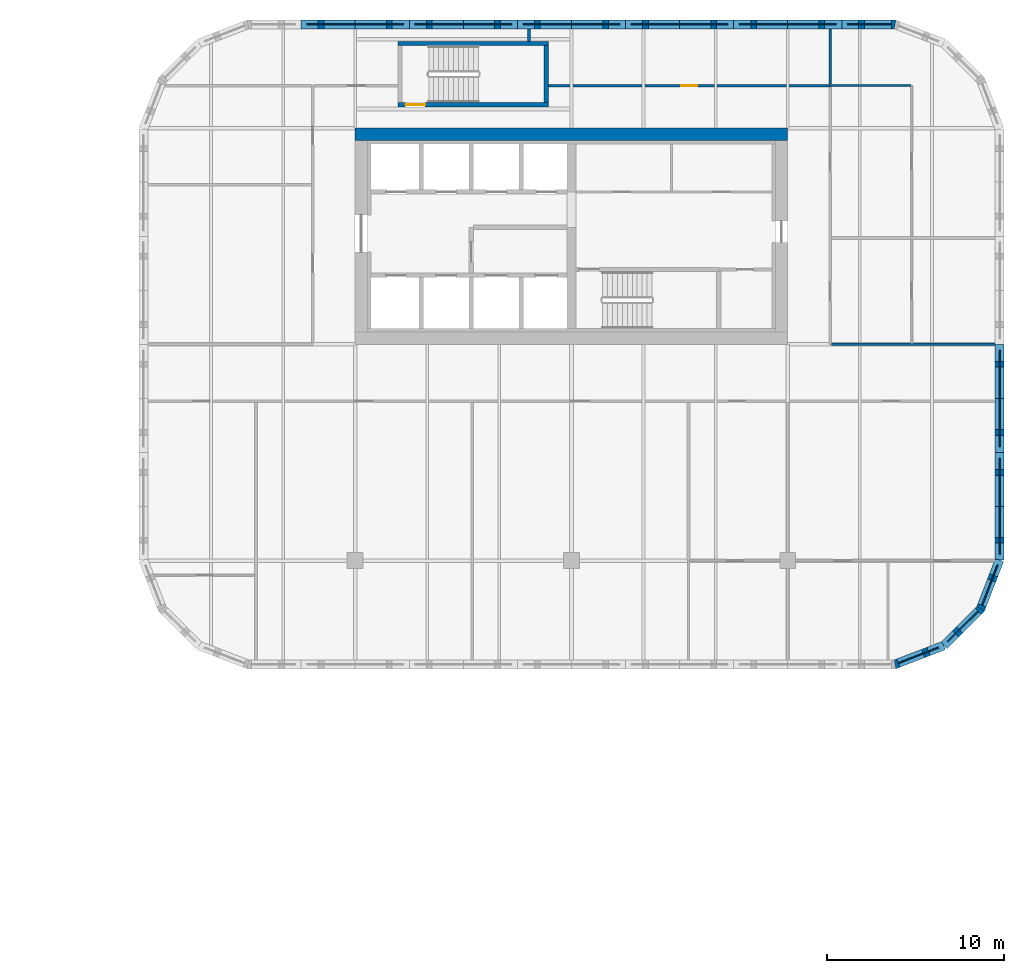
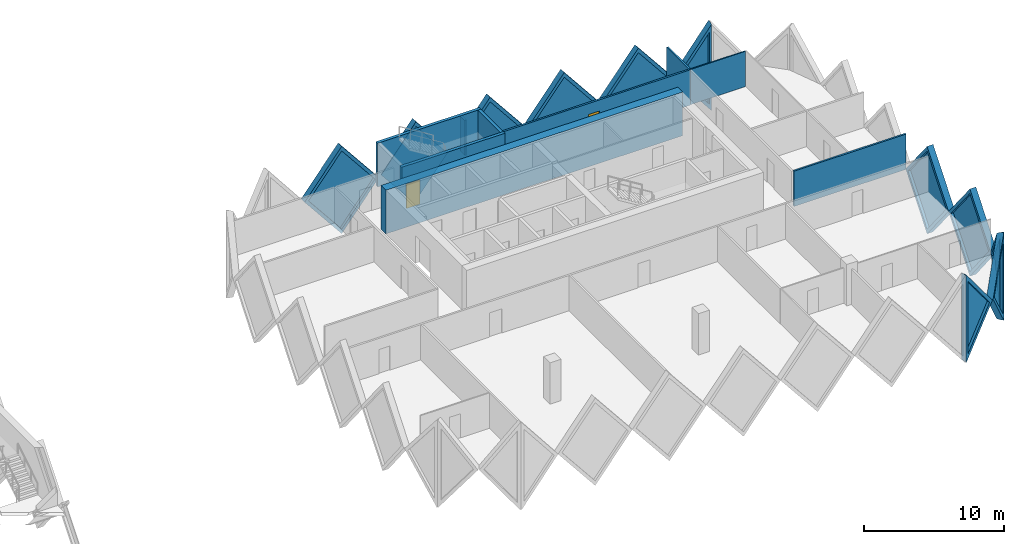
# One storey, part 14 of 18: 20 walls, 11 plates, 2 doors, 13 openings.
"""IFC4 building model written with IfcOpenShell, lengths in metres."""

from ifc_helpers import new_model, si_unit, direction, frame, frame_2d, origin, place, context, subcontext, project, spatial, polyline, rectangle, outline, extrude, faceted_brep, source, transform, mapped, material, layer, layer_set, type_object, element, fill, save


model = new_model("IFC4")

# Units and contexts
model_context = context("Model", 3, precision=1e-05, world=origin(), true_north=direction((0.0, 1.0)))
body_context = subcontext(model_context, "Body", "Model", "MODEL_VIEW")
ifc_project = project(units=[si_unit("LENGTHUNIT", "METRE"), si_unit("AREAUNIT", "SQUARE_METRE"), si_unit("VOLUMEUNIT", "CUBIC_METRE"), si_unit("PLANEANGLEUNIT", "RADIAN"), si_unit("MASSUNIT", "GRAM", prefix="KILO")], contexts=[model_context])

# Site, building, storey
site_placement = place(None, origin())
site = spatial("IfcSite", under=ifc_project, at=site_placement, CompositionType="ELEMENT")
building_placement = place(site_placement, origin())
building = spatial("IfcBuilding", under=site, at=building_placement, Name="Tessera Gate Towers", CompositionType="ELEMENT")
storey_placement = place(building_placement, frame((0.0, 0.0, 41.0)))
storey = spatial("IfcBuildingStorey", under=building, at=storey_placement, Name="L09", CompositionType="ELEMENT", Elevation=41.0)

# Wall, opening, door
ifc_material_1 = material(Name="Concrete C40/50", Category="concrete")
ifc_layer_1 = layer(ifc_material_1, 0.25)
ifc_layer_set_1 = layer_set([ifc_layer_1], Name="CORE ENCLOSURE WALL 250")
wall_type_1 = type_object("IfcWallType", Name="CORE ENCLOSURE WALL 250", PredefinedType="SOLIDWALL", material=ifc_layer_set_1)
wall_1_placement = place(storey_placement, frame((108.5, 50.125, 0.0), z_axis=(0.0, 0.0, 1.0), x_axis=(-1.0, 0.0, 0.0)))
wall_1 = element("IfcWall", 1, at=wall_1_placement, inside=storey, type_object=wall_type_1, Name="L09 ST7 enclosure wall", PredefinedType="SOLIDWALL", context=body_context, shape_type="SweptSolid", body=[
    extrude(rectangle(XDim=8.5, YDim=0.25, at=frame_2d((4.25, 0.0))), origin(), (0.0, 0.0, 1.0), 3.800048828125),
])
shared_shape_1 = source(origin(), body_context, "Body", "SweptSolid", [
    extrude(rectangle(XDim=1.10009765625, YDim=2.10009765625, at=frame_2d((0.550048828125, 1.050048828125))), frame((0.0, 0.135009765625, 0.0), z_axis=(0.0, -1.0, 0.0), x_axis=(1.0, 0.0, 0.0)), (0.0, 0.0, 1.0), 0.27001953125),
])
opening_1_placement = place(wall_1_placement, frame((6.949951171875, 0.0, 0.0)))
opening_1 = element("IfcOpeningElement", 2, at=opening_1_placement, cuts=wall_1, Name="Opening SD-ST7-1", PredefinedType="OPENING", context=body_context, shape_type="MappedRepresentation", body=[
    mapped(shared_shape_1, transform((0.0, 0.0, 0.0), scale=1.0)),
])
ifc_material_2 = material(Name="Hollow steel fire door", Category="steel")
door_type_1 = type_object("IfcDoorType", Name="CORE DOOR SD1100 1100x2100", OperationType="NOTDEFINED", PredefinedType="DOOR", material=ifc_material_2)
shared_shape_2 = source(origin(), body_context, "Body", "SweptSolid", [
    extrude(rectangle(XDim=1.10009765625, YDim=2.10009765625, at=frame_2d((0.550048828125, 1.050048828125))), frame((0.0, 0.02490234375, 0.0), z_axis=(0.0, -1.0, 0.0), x_axis=(1.0, 0.0, 0.0)), (0.0, 0.0, 1.0), 0.050048828125),
])
door_1_placement = place(opening_1_placement, origin())
door_1 = element("IfcDoor", 3, at=door_1_placement, inside=storey, type_object=door_type_1, Name="Stair door", OperationType="SINGLE_SWING_RIGHT", OverallHeight=2.10009765625, OverallWidth=1.10009765625, PredefinedType="DOOR", context=body_context, shape_type="MappedRepresentation", body=[
    mapped(shared_shape_2, transform((0.0, 0.0, 0.0), scale=1.0)),
])
fill(opening_1, door_1)

# Walls
wall_2_placement = place(storey_placement, frame((100.0, 53.574951171875, 0.0), z_axis=(0.0, 0.0, 1.0), x_axis=(1.0, 0.0, 0.0)))
element("IfcWall", 4, at=wall_2_placement, inside=storey, type_object=wall_type_1, Name="L09 ST7 enclosure wall", PredefinedType="SOLIDWALL", context=body_context, shape_type="SweptSolid", body=[
    extrude(rectangle(XDim=8.5, YDim=0.25, at=frame_2d((4.25, 0.0))), origin(), (0.0, 0.0, 1.0), 3.800048828125),
])
wall_3_placement = place(storey_placement, frame((108.375, 53.449951171875, 0.0), z_axis=(0.0, 0.0, 1.0), x_axis=(0.0, -1.0, 0.0)))
element("IfcWall", 5, at=wall_3_placement, inside=storey, type_object=wall_type_1, Name="L09 ST7 enclosure wall", PredefinedType="SOLIDWALL", context=body_context, shape_type="SweptSolid", body=[
    extrude(rectangle(XDim=3.199951171875, YDim=0.25, at=frame_2d((1.60009765625, 0.0))), origin(), (0.0, 0.0, 1.0), 3.800048828125),
])
ifc_material_3 = material(Name="Concrete C60/75", Category="concrete")
ifc_layer_2 = layer(ifc_material_3, 0.699951171875)
ifc_layer_set_2 = layer_set([ifc_layer_2], Name="CORE SHEAR WALL 700 C60/75")
wall_type_2 = type_object("IfcWallType", Name="CORE SHEAR WALL 700 C60/75", PredefinedType="SHEAR", material=ifc_layer_set_2)
wall_4_placement = place(storey_placement, frame((97.60009765625, 48.449951171875, 0.0), z_axis=(0.0, 0.0, 1.0), x_axis=(1.0, 0.0, 0.0)))
element("IfcWall", 6, at=wall_4_placement, inside=storey, type_object=wall_type_2, Name="Core wall N L09", PredefinedType="SHEAR", context=body_context, shape_type="SweptSolid", body=[
    extrude(rectangle(XDim=24.39990234375, YDim=0.699951171875, at=frame_2d((12.199951171875, 0.0))), origin(), (0.0, 0.0, 1.0), 3.800048828125),
])
ifc_material_4 = material(Name="Gypsum board on steel studs, mineral wool", Category="steel")
ifc_layer_3 = layer(ifc_material_4, 0.14990234375)
ifc_layer_set_3 = layer_set([ifc_layer_3], Name="CORRIDOR WALL 150")
wall_type_3 = type_object("IfcWallType", Name="CORRIDOR WALL 150", PredefinedType="PARTITIONING", material=ifc_layer_set_3)
wall_5_placement = place(storey_placement, frame((124.47607421875, 36.60009765625, 0.0), z_axis=(0.0, 0.0, 1.0), x_axis=(1.0, 0.0, 0.0)))
element("IfcWall", 7, at=wall_5_placement, inside=storey, type_object=wall_type_3, Name="T2-L09-PW-014", PredefinedType="PARTITIONING", context=body_context, shape_type="SweptSolid", body=[
    extrude(rectangle(XDim=9.223876953125, YDim=0.14990234375, at=frame_2d((4.61181640625, 0.0))), origin(), (0.0, 0.0, 1.0), 3.06689453125),
])

# Wall, opening, door
wall_6_placement = place(storey_placement, frame((108.5, 51.199951171875, 0.0), z_axis=(0.0, 0.0, 1.0), x_axis=(1.0, 0.0, 0.0)))
wall_6 = element("IfcWall", 8, at=wall_6_placement, inside=storey, type_object=wall_type_3, Name="T2-L09-PW-022", PredefinedType="PARTITIONING", context=body_context, shape_type="SweptSolid", body=[
    extrude(rectangle(XDim=15.89990234375, YDim=0.14990234375, at=frame_2d((7.949951171875, 0.0))), origin(), (0.0, 0.0, 1.0), 3.06689453125),
])
shared_shape_3 = source(origin(), body_context, "Body", "SweptSolid", [
    extrude(rectangle(XDim=0.89990234375, YDim=2.10009765625, at=frame_2d((0.449951171875, 1.050048828125))), frame((0.0, 0.0849609375, 0.0), z_axis=(0.0, -1.0, 0.0), x_axis=(1.0, 0.0, 0.0)), (0.0, 0.0, 1.0), 0.169921875),
])
opening_2_placement = place(wall_6_placement, frame((7.5, 0.0, 0.0)))
opening_2 = element("IfcOpeningElement", 9, at=opening_2_placement, cuts=wall_6, Name="Opening D890FD60-B04-04", PredefinedType="OPENING", context=body_context, shape_type="MappedRepresentation", body=[
    mapped(shared_shape_3, transform((0.0, 0.0, 0.0), scale=1.0)),
])
ifc_material_5 = material(Name="Timber door leaf in steel frame", Category="steel")
door_type_2 = type_object("IfcDoorType", Name="CORRIDOR DOOR 900 FD60", OperationType="NOTDEFINED", PredefinedType="DOOR", material=ifc_material_5)
shared_shape_4 = source(origin(), body_context, "Body", "SweptSolid", [
    extrude(rectangle(XDim=0.89990234375, YDim=2.10009765625, at=frame_2d((0.449951171875, 1.050048828125))), frame((0.0, 0.02490234375, 0.0), z_axis=(0.0, -1.0, 0.0), x_axis=(1.0, 0.0, 0.0)), (0.0, 0.0, 1.0), 0.050048828125),
])
door_2_placement = place(opening_2_placement, origin())
door_2 = element("IfcDoor", 10, at=door_2_placement, inside=storey, type_object=door_type_2, Name="T2-L09-PD-016", OperationType="SINGLE_SWING_LEFT", OverallHeight=2.10009765625, OverallWidth=0.89990234375, PredefinedType="DOOR", context=body_context, shape_type="MappedRepresentation", body=[
    mapped(shared_shape_4, transform((0.0, 0.0, 0.0), scale=1.0)),
])
fill(opening_2, door_2)

# Walls
ifc_material_6 = material(Name="Glass", Category="glass")
ifc_layer_4 = layer(ifc_material_6, 0.10009765625)
ifc_layer_set_4 = layer_set([ifc_layer_4], Name="GLAZED PARTITION 100")
wall_type_4 = type_object("IfcWallType", Name="GLAZED PARTITION 100", PredefinedType="PARTITIONING", material=ifc_layer_set_4)
wall_7_placement = place(storey_placement, frame((124.40087890625, 51.199951171875, 0.0), z_axis=(0.0, 0.0, 1.0), x_axis=(1.0, 0.0, 0.0)))
element("IfcWall", 11, at=wall_7_placement, inside=storey, type_object=wall_type_4, Name="T2-L09-PW-023", PredefinedType="PARTITIONING", context=body_context, shape_type="SweptSolid", body=[
    extrude(rectangle(XDim=4.548095703125, YDim=0.10009765625, at=frame_2d((2.27392578125, 0.0))), origin(), (0.0, 0.0, 1.0), 3.06689453125),
])
ifc_material_7 = material(Name="Gypsum board on steel studs, mineral wool", Category="steel")
ifc_layer_5 = layer(ifc_material_7, 0.14990234375)
ifc_layer_set_5 = layer_set([ifc_layer_5], Name="TENANCY WALL 150")
wall_type_5 = type_object("IfcWallType", Name="TENANCY WALL 150", PredefinedType="PARTITIONING", material=ifc_layer_set_5)
wall_8_placement = place(storey_placement, frame((124.39990234375, 51.27587890625, 0.0), z_axis=(0.0, 0.0, 1.0), x_axis=(0.0, 1.0, 0.0)))
element("IfcWall", 12, at=wall_8_placement, inside=storey, type_object=wall_type_5, Name="T2-L09-PW-024", PredefinedType="PARTITIONING", context=body_context, shape_type="SweptSolid", body=[
    extrude(rectangle(XDim=3.1240234375, YDim=0.14990234375, at=frame_2d((1.56201171875, 0.0))), origin(), (0.0, 0.0, 1.0), 3.06689453125),
])
wall_9_placement = place(storey_placement, frame((107.39990234375, 53.699951171875, 0.0), z_axis=(0.0, 0.0, 1.0), x_axis=(0.0, 1.0, 0.0)))
element("IfcWall", 13, at=wall_9_placement, inside=storey, type_object=wall_type_5, Name="T2-L09-PW-025", PredefinedType="PARTITIONING", context=body_context, shape_type="SweptSolid", body=[
    extrude(rectangle(XDim=0.699951171875, YDim=0.14990234375, at=frame_2d((0.35009765625, 0.0))), origin(), (0.0, 0.0, 1.0), 3.06689453125),
])

# Wall, opening, plate
ifc_material_8 = material(Name="Precast concrete C60/75 white", Category="concrete")
ifc_layer_6 = layer(ifc_material_8, 0.5)
ifc_layer_set_6 = layer_set([ifc_layer_6], Name="TS1 tessera")
wall_type_6 = type_object("IfcWallType", Name="TS1 tessera", PredefinedType="SOLIDWALL", material=ifc_layer_set_6)
shared_shape_5 = source(origin(), body_context, "Body", "Brep", [
    faceted_brep([(3.00341796875, -0.25, 0.0), (6.053466796875, -0.25, 3.800048828125), (3.00341796875, -0.25, 7.60009765625), (0.0, -0.25, 3.800048828125), (0.046630859375, 0.25, 3.85888671875), (3.00341796875, 0.25, 7.60009765625), (6.053466796875, 0.25, 3.800048828125), (3.00341796875, 0.25, 0.0), (0.046630859375, 0.25, 3.7412109375), (0.0, 0.0, 3.800048828125)], [[[0, 1, 2, 3]], [[4, 5, 6, 7, 8]], [[7, 6, 1, 0]], [[6, 5, 2, 1]], [[5, 4, 9, 3, 2]], [[8, 7, 0, 3, 9]], [[8, 9, 4]]]),
])
wall_10_placement = place(storey_placement, frame((133.949951171875, 24.446533203125, -3.800048828125), z_axis=(0.0, 0.0, 1.0), x_axis=(0.0, 1.0, 0.0)))
wall_10 = element("IfcWall", 14, at=wall_10_placement, inside=storey, type_object=wall_type_6, Name="Precast tessera T2 TS1-0077", PredefinedType="SOLIDWALL", context=body_context, shape_type="MappedRepresentation", body=[
    mapped(shared_shape_5, transform((0.0, 0.0, 0.0), scale=1.0)),
])
shared_shape_6 = source(origin(), body_context, "Body", "SweptSolid", [
    extrude(outline(polyline([(3.0048828125, 0.4013671875), (5.73291015625, 3.800048828125), (3.0048828125, 7.19873046875), (0.318603515625, 3.800048828125), (3.0048828125, 0.4013671875)])), frame((0.0, 0.260009765625, 0.0), z_axis=(0.0, -1.0, 0.0), x_axis=(1.0, 0.0, 0.0)), (0.0, 0.0, 1.0), 0.52001953125),
])
opening_3_placement = place(wall_10_placement, origin())
opening_3 = element("IfcOpeningElement", 15, at=opening_3_placement, cuts=wall_10, Name="Opening T2-PL2-0147", PredefinedType="OPENING", context=body_context, shape_type="MappedRepresentation", body=[
    mapped(shared_shape_6, transform((0.0, 0.0, 0.0), scale=1.0)),
])
ifc_material_9 = material(Name="Low-e laminated glass", Category="glass")
ifc_layer_7 = layer(ifc_material_9, 0.06005859375)
ifc_layer_set_7 = layer_set([ifc_layer_7], Name="PL2 rhombic pane")
plate_type = type_object("IfcPlateType", Name="PL2 rhombic pane", PredefinedType="SHEET", material=ifc_layer_set_7)
shared_shape_7 = source(origin(), body_context, "Body", "SweptSolid", [
    extrude(outline(polyline([(3.0048828125, 0.4013671875), (5.73291015625, 3.800048828125), (3.0048828125, 7.19873046875), (0.318603515625, 3.800048828125), (3.0048828125, 0.4013671875)])), frame((0.0, 0.030029296875, 0.0), z_axis=(0.0, -1.0, 0.0), x_axis=(1.0, 0.0, 0.0)), (0.0, 0.0, 1.0), 0.06005859375),
])
plate_1_placement = place(opening_3_placement, origin())
plate_1 = element("IfcPlate", 16, at=plate_1_placement, inside=storey, type_object=plate_type, Name="Glass pane T2 PL2-0147", PredefinedType="SHEET", context=body_context, shape_type="MappedRepresentation", body=[
    mapped(shared_shape_7, transform((0.0, 0.0, 0.0), scale=1.0)),
])
fill(opening_3, plate_1)

shared_shape_8 = source(origin(), body_context, "Body", "Brep", [
    faceted_brep([(3.050048828125, -0.25, 0.0), (6.099853515625, -0.25, 3.7998046875), (6.099853515625, -0.25, 3.80029296875), (3.050048828125, -0.25, 7.60009765625), (0.0, -0.25, 3.800048828125), (0.0, 0.25, 3.800048828125), (3.050048828125, 0.25, 7.60009765625), (6.099853515625, 0.25, 3.80029296875), (6.099853515625, 0.25, 3.7998046875), (3.050048828125, 0.25, 0.0)], [[[0, 1, 2, 3, 4]], [[5, 6, 7, 8, 9]], [[9, 8, 1, 0]], [[7, 6, 3, 2]], [[6, 5, 4, 3]], [[5, 9, 0, 4]], [[1, 8, 7, 2]]]),
])
wall_11_placement = place(storey_placement, frame((118.949951171875, 54.64990234375, -3.800048828125), z_axis=(0.0, 0.0, 1.0), x_axis=(-1.0, 0.0, 0.0)))
wall_11 = element("IfcWall", 17, at=wall_11_placement, inside=storey, type_object=wall_type_6, Name="Precast tessera T2 TS1-0082", PredefinedType="SOLIDWALL", context=body_context, shape_type="MappedRepresentation", body=[
    mapped(shared_shape_8, transform((0.0, 0.0, 0.0), scale=1.0)),
])
shared_shape_9 = source(origin(), body_context, "Body", "SweptSolid", [
    extrude(outline(polyline([(3.050048828125, 0.3994140625), (5.779541015625, 3.800048828125), (3.050048828125, 7.20068359375), (0.320556640625, 3.800048828125), (3.050048828125, 0.3994140625)])), frame((0.0, 0.260009765625, 0.0), z_axis=(0.0, -1.0, 0.0), x_axis=(1.0, 0.0, 0.0)), (0.0, 0.0, 1.0), 0.52001953125),
])
opening_4_placement = place(wall_11_placement, origin())
opening_4 = element("IfcOpeningElement", 18, at=opening_4_placement, cuts=wall_11, Name="Opening T2-PL2-0156", PredefinedType="OPENING", context=body_context, shape_type="MappedRepresentation", body=[
    mapped(shared_shape_9, transform((0.0, 0.0, 0.0), scale=1.0)),
])
shared_shape_10 = source(origin(), body_context, "Body", "SweptSolid", [
    extrude(outline(polyline([(3.050048828125, 0.3994140625), (5.779541015625, 3.800048828125), (3.050048828125, 7.20068359375), (0.320556640625, 3.800048828125), (3.050048828125, 0.3994140625)])), frame((0.0, 0.030029296875, 0.0), z_axis=(0.0, -1.0, 0.0), x_axis=(1.0, 0.0, 0.0)), (0.0, 0.0, 1.0), 0.06005859375),
])
plate_2_placement = place(opening_4_placement, origin())
plate_2 = element("IfcPlate", 19, at=plate_2_placement, inside=storey, type_object=plate_type, Name="Glass pane T2 PL2-0156", PredefinedType="SHEET", context=body_context, shape_type="MappedRepresentation", body=[
    mapped(shared_shape_10, transform((0.0, 0.0, 0.0), scale=1.0)),
])
fill(opening_4, plate_2)

wall_12_placement = place(storey_placement, frame((100.64990234375, 54.64990234375, -3.800048828125), z_axis=(0.0, 0.0, 1.0), x_axis=(-1.0, 0.0, 0.0)))
wall_12 = element("IfcWall", 20, at=wall_12_placement, inside=storey, type_object=wall_type_6, Name="Precast tessera T2 TS1-0085", PredefinedType="SOLIDWALL", context=body_context, shape_type="MappedRepresentation", body=[
    mapped(shared_shape_8, transform((0.0, 0.0, 0.0), scale=1.0)),
])
opening_5_placement = place(wall_12_placement, origin())
opening_5 = element("IfcOpeningElement", 21, at=opening_5_placement, cuts=wall_12, Name="Opening T2-PL2-0159", PredefinedType="OPENING", context=body_context, shape_type="MappedRepresentation", body=[
    mapped(shared_shape_9, transform((0.0, 0.0, 0.0), scale=1.0)),
])
plate_3_placement = place(opening_5_placement, origin())
plate_3 = element("IfcPlate", 22, at=plate_3_placement, inside=storey, type_object=plate_type, Name="Glass pane T2 PL2-0159", PredefinedType="SHEET", context=body_context, shape_type="MappedRepresentation", body=[
    mapped(shared_shape_10, transform((0.0, 0.0, 0.0), scale=1.0)),
])
fill(opening_5, plate_3)

shared_shape_11 = source(origin(), body_context, "Body", "SweptSolid", [
    extrude(outline(polyline([(3.050048828125, 0.0), (6.10009765625, 3.800048828125), (3.050048828125, 7.60009765625), (0.0, 3.800048828125), (3.050048828125, 0.0)])), frame((0.0, 0.25, 0.0), z_axis=(0.0, -1.0, 0.0), x_axis=(1.0, 0.0, 0.0)), (0.0, 0.0, 1.0), 0.5),
])
wall_13_placement = place(storey_placement, frame((133.949951171875, 30.5, -3.800048828125), z_axis=(0.0, 0.0, 1.0), x_axis=(0.0, 1.0, 0.0)))
wall_13 = element("IfcWall", 23, at=wall_13_placement, inside=storey, type_object=wall_type_6, Name="Precast tessera T2 TS1-0078", PredefinedType="SOLIDWALL", context=body_context, shape_type="MappedRepresentation", body=[
    mapped(shared_shape_11, transform((0.0, 0.0, 0.0), scale=1.0)),
])
opening_6_placement = place(wall_13_placement, origin())
opening_6 = element("IfcOpeningElement", 24, at=opening_6_placement, cuts=wall_13, Name="Opening T2-PL2-0148", PredefinedType="OPENING", context=body_context, shape_type="MappedRepresentation", body=[
    mapped(shared_shape_9, transform((0.0, 0.0, 0.0), scale=1.0)),
])
plate_4_placement = place(opening_6_placement, origin())
plate_4 = element("IfcPlate", 25, at=plate_4_placement, inside=storey, type_object=plate_type, Name="Glass pane T2 PL2-0148", PredefinedType="SHEET", context=body_context, shape_type="MappedRepresentation", body=[
    mapped(shared_shape_10, transform((0.0, 0.0, 0.0), scale=1.0)),
])
fill(opening_6, plate_4)

wall_14_placement = place(storey_placement, frame((125.050048828125, 54.64990234375, -3.800048828125), z_axis=(0.0, 0.0, 1.0), x_axis=(-1.0, 0.0, 0.0)))
wall_14 = element("IfcWall", 26, at=wall_14_placement, inside=storey, type_object=wall_type_6, Name="Precast tessera T2 TS1-0081", PredefinedType="SOLIDWALL", context=body_context, shape_type="MappedRepresentation", body=[
    mapped(shared_shape_11, transform((0.0, 0.0, 0.0), scale=1.0)),
])
opening_7_placement = place(wall_14_placement, origin())
opening_7 = element("IfcOpeningElement", 27, at=opening_7_placement, cuts=wall_14, Name="Opening T2-PL2-0155", PredefinedType="OPENING", context=body_context, shape_type="MappedRepresentation", body=[
    mapped(shared_shape_9, transform((0.0, 0.0, 0.0), scale=1.0)),
])
plate_5_placement = place(opening_7_placement, origin())
plate_5 = element("IfcPlate", 28, at=plate_5_placement, inside=storey, type_object=plate_type, Name="Glass pane T2 PL2-0155", PredefinedType="SHEET", context=body_context, shape_type="MappedRepresentation", body=[
    mapped(shared_shape_10, transform((0.0, 0.0, 0.0), scale=1.0)),
])
fill(opening_7, plate_5)

wall_15_placement = place(storey_placement, frame((112.85009765625, 54.64990234375, -3.800048828125), z_axis=(0.0, 0.0, 1.0), x_axis=(-1.0, 0.0, 0.0)))
wall_15 = element("IfcWall", 29, at=wall_15_placement, inside=storey, type_object=wall_type_6, Name="Precast tessera T2 TS1-0083", PredefinedType="SOLIDWALL", context=body_context, shape_type="MappedRepresentation", body=[
    mapped(shared_shape_11, transform((0.0, 0.0, 0.0), scale=1.0)),
])
opening_8_placement = place(wall_15_placement, origin())
opening_8 = element("IfcOpeningElement", 30, at=opening_8_placement, cuts=wall_15, Name="Opening T2-PL2-0157", PredefinedType="OPENING", context=body_context, shape_type="MappedRepresentation", body=[
    mapped(shared_shape_9, transform((0.0, 0.0, 0.0), scale=1.0)),
])
plate_6_placement = place(opening_8_placement, origin())
plate_6 = element("IfcPlate", 31, at=plate_6_placement, inside=storey, type_object=plate_type, Name="Glass pane T2 PL2-0157", PredefinedType="SHEET", context=body_context, shape_type="MappedRepresentation", body=[
    mapped(shared_shape_10, transform((0.0, 0.0, 0.0), scale=1.0)),
])
fill(opening_8, plate_6)

wall_16_placement = place(storey_placement, frame((106.75, 54.64990234375, -3.800048828125), z_axis=(0.0, 0.0, 1.0), x_axis=(-1.0, 0.0, 0.0)))
wall_16 = element("IfcWall", 32, at=wall_16_placement, inside=storey, type_object=wall_type_6, Name="Precast tessera T2 TS1-0084", PredefinedType="SOLIDWALL", context=body_context, shape_type="MappedRepresentation", body=[
    mapped(shared_shape_11, transform((0.0, 0.0, 0.0), scale=1.0)),
])
opening_9_placement = place(wall_16_placement, origin())
opening_9 = element("IfcOpeningElement", 33, at=opening_9_placement, cuts=wall_16, Name="Opening T2-PL2-0158", PredefinedType="OPENING", context=body_context, shape_type="MappedRepresentation", body=[
    mapped(shared_shape_9, transform((0.0, 0.0, 0.0), scale=1.0)),
])
plate_7_placement = place(opening_9_placement, origin())
plate_7 = element("IfcPlate", 34, at=plate_7_placement, inside=storey, type_object=plate_type, Name="Glass pane T2 PL2-0158", PredefinedType="SHEET", context=body_context, shape_type="MappedRepresentation", body=[
    mapped(shared_shape_10, transform((0.0, 0.0, 0.0), scale=1.0)),
])
fill(opening_9, plate_7)

ifc_material_10 = material(Name="Precast concrete C60/75 white", Category="concrete")
ifc_layer_8 = layer(ifc_material_10, 0.5)
ifc_layer_set_8 = layer_set([ifc_layer_8], Name="TS3 corner tessera")
wall_type_7 = type_object("IfcWallType", Name="TS3 corner tessera", PredefinedType="SOLIDWALL", material=ifc_layer_set_8)
shared_shape_12 = source(origin(), body_context, "Body", "Brep", [
    faceted_brep([(0.046630859375, -0.25, 0.0), (3.050048828125, -0.25, 3.800048828125), (0.046630859375, -0.25, 7.60009765625), (0.0, -0.25, 7.5400390625), (0.0, -0.25, 0.06005859375), (0.09326171875, 0.25, 7.541259765625), (3.050048828125, 0.25, 3.800048828125), (0.09326171875, 0.25, 0.058837890625), (0.046630859375, 0.0, 0.0), (0.046630859375, 0.0, 7.60009765625)], [[[0, 1, 2, 3, 4]], [[5, 6, 7]], [[7, 6, 1, 0, 8]], [[6, 5, 9, 2, 1]], [[3, 2, 9]], [[8, 0, 4]], [[7, 8, 4, 3, 9, 5]]]),
])
wall_17_placement = place(storey_placement, frame((128.10009765625, 54.64990234375, -3.800048828125), z_axis=(0.0, 0.0, 1.0), x_axis=(-1.0, 0.0, 0.0)))
wall_17 = element("IfcWall", 35, at=wall_17_placement, inside=storey, type_object=wall_type_7, Name="Precast corner tessera T2 TS3-0122", PredefinedType="SOLIDWALL", context=body_context, shape_type="MappedRepresentation", body=[
    mapped(shared_shape_12, transform((0.0, 0.0, 0.0), scale=1.0)),
])
shared_shape_13 = source(origin(), body_context, "Body", "SweptSolid", [
    extrude(outline(polyline([(0.24658203125, 0.65625), (2.7314453125, 3.800048828125), (0.24658203125, 6.94384765625), (0.24658203125, 0.65625)])), frame((0.0, 0.260009765625, 0.0), z_axis=(0.0, -1.0, 0.0), x_axis=(1.0, 0.0, 0.0)), (0.0, 0.0, 1.0), 0.52001953125),
])
opening_10_placement = place(wall_17_placement, origin())
opening_10 = element("IfcOpeningElement", 36, at=opening_10_placement, cuts=wall_17, Name="Opening T2-PL2-0154", PredefinedType="OPENING", context=body_context, shape_type="MappedRepresentation", body=[
    mapped(shared_shape_13, transform((0.0, 0.0, 0.0), scale=1.0)),
])
shared_shape_14 = source(origin(), body_context, "Body", "SweptSolid", [
    extrude(outline(polyline([(0.24658203125, 0.65625), (2.7314453125, 3.800048828125), (0.24658203125, 6.94384765625), (0.24658203125, 0.65625)])), frame((0.0, 0.030029296875, 0.0), z_axis=(0.0, -1.0, 0.0), x_axis=(1.0, 0.0, 0.0)), (0.0, 0.0, 1.0), 0.06005859375),
])
plate_8_placement = place(opening_10_placement, origin())
plate_8 = element("IfcPlate", 37, at=plate_8_placement, inside=storey, type_object=plate_type, Name="Glass pane T2 PL2-0154", PredefinedType="SHEET", context=body_context, shape_type="MappedRepresentation", body=[
    mapped(shared_shape_14, transform((0.0, 0.0, 0.0), scale=1.0)),
])
fill(opening_10, plate_8)

shared_shape_15 = source(origin(), body_context, "Body", "Brep", [
    faceted_brep([(0.046630859375, -0.25, 0.0), (2.9970703125, -0.25, 3.800048828125), (0.046630859375, -0.25, 7.60009765625), (0.0, -0.25, 7.541259765625), (0.0, -0.25, 0.058837890625), (0.09326171875, 0.25, 7.5400390625), (2.9443359375, 0.25, 3.8681640625), (2.9443359375, 0.25, 3.73193359375), (0.09326171875, 0.25, 0.06005859375), (2.9970703125, 0.00048828125, 3.800048828125), (0.046630859375, 0.0, 0.0), (0.046630859375, 0.0, 7.60009765625)], [[[0, 1, 2, 3, 4]], [[5, 6, 7, 8]], [[8, 7, 9, 1, 0, 10]], [[6, 5, 11, 2, 1, 9]], [[3, 2, 11]], [[10, 0, 4]], [[8, 10, 4, 3, 11, 5]], [[9, 7, 6]]]),
])
wall_18_placement = place(storey_placement, frame((128.010009765625, 18.533203125, -3.800048828125), z_axis=(0.0, 0.0, 1.0), x_axis=(0.932990326376, 0.359901446078, 0.0)))
wall_18 = element("IfcWall", 38, at=wall_18_placement, inside=storey, type_object=wall_type_7, Name="Precast corner tessera T2 TS3-0116", PredefinedType="SOLIDWALL", context=body_context, shape_type="MappedRepresentation", body=[
    mapped(shared_shape_15, transform((0.0, 0.0, 0.0), scale=1.0)),
])
shared_shape_16 = source(origin(), body_context, "Body", "SweptSolid", [
    extrude(outline(polyline([(0.24658203125, 0.665283203125), (2.6806640625, 3.800048828125), (0.24658203125, 6.934814453125), (0.24658203125, 0.665283203125)])), frame((0.0, 0.260009765625, 0.0), z_axis=(0.0, -1.0, 0.0), x_axis=(1.0, 0.0, 0.0)), (0.0, 0.0, 1.0), 0.52001953125),
])
opening_11_placement = place(wall_18_placement, origin())
opening_11 = element("IfcOpeningElement", 39, at=opening_11_placement, cuts=wall_18, Name="Opening T2-PL2-0144", PredefinedType="OPENING", context=body_context, shape_type="MappedRepresentation", body=[
    mapped(shared_shape_16, transform((0.0, 0.0, 0.0), scale=1.0)),
])
shared_shape_17 = source(origin(), body_context, "Body", "SweptSolid", [
    extrude(outline(polyline([(0.24658203125, 0.665283203125), (2.6806640625, 3.800048828125), (0.24658203125, 6.934814453125), (0.24658203125, 0.665283203125)])), frame((0.0, 0.030029296875, 0.0), z_axis=(0.0, -1.0, 0.0), x_axis=(1.0, 0.0, 0.0)), (0.0, 0.0, 1.0), 0.06005859375),
])
plate_9_placement = place(opening_11_placement, origin())
plate_9 = element("IfcPlate", 40, at=plate_9_placement, inside=storey, type_object=plate_type, Name="Glass pane T2 PL2-0144", PredefinedType="SHEET", context=body_context, shape_type="MappedRepresentation", body=[
    mapped(shared_shape_17, transform((0.0, 0.0, 0.0), scale=1.0)),
])
fill(opening_11, plate_9)

shared_shape_18 = source(origin(), body_context, "Body", "Brep", [
    faceted_brep([(0.052978515625, -0.25, 0.0), (3.00341796875, -0.25, 3.800048828125), (0.052978515625, -0.25, 7.60009765625), (0.0, -0.25, 7.53173828125), (0.0, -0.25, 0.068359375), (0.10595703125, 0.25, 7.531982421875), (2.95703125, 0.25, 3.85986328125), (2.95703125, 0.25, 3.740234375), (0.10595703125, 0.25, 0.068115234375), (3.00341796875, 0.00048828125, 3.800048828125), (0.052978515625, 0.0, 0.0), (0.052978515625, 0.0, 7.60009765625)], [[[0, 1, 2, 3, 4]], [[5, 6, 7, 8]], [[8, 7, 9, 1, 0, 10]], [[6, 5, 11, 2, 1, 9]], [[3, 2, 11]], [[10, 0, 4]], [[8, 10, 4, 3, 11, 5]], [[9, 7, 6]]]),
])
wall_19_placement = place(storey_placement, frame((132.869140625, 21.644287109375, -3.800048828125), z_axis=(0.0, 0.0, 1.0), x_axis=(0.359855894603, 0.933007896601, 0.0)))
wall_19 = element("IfcWall", 41, at=wall_19_placement, inside=storey, type_object=wall_type_7, Name="Precast corner tessera T2 TS3-0118", PredefinedType="SOLIDWALL", context=body_context, shape_type="MappedRepresentation", body=[
    mapped(shared_shape_18, transform((0.0, 0.0, 0.0), scale=1.0)),
])
shared_shape_19 = source(origin(), body_context, "Body", "SweptSolid", [
    extrude(outline(polyline([(0.2529296875, 0.665283203125), (2.68701171875, 3.800048828125), (0.2529296875, 6.934814453125), (0.2529296875, 0.665283203125)])), frame((0.0, 0.260009765625, 0.0), z_axis=(0.0, -1.0, 0.0), x_axis=(1.0, 0.0, 0.0)), (0.0, 0.0, 1.0), 0.52001953125),
])
opening_12_placement = place(wall_19_placement, origin())
opening_12 = element("IfcOpeningElement", 42, at=opening_12_placement, cuts=wall_19, Name="Opening T2-PL2-0146", PredefinedType="OPENING", context=body_context, shape_type="MappedRepresentation", body=[
    mapped(shared_shape_19, transform((0.0, 0.0, 0.0), scale=1.0)),
])
shared_shape_20 = source(origin(), body_context, "Body", "SweptSolid", [
    extrude(outline(polyline([(0.2529296875, 0.665283203125), (2.68701171875, 3.800048828125), (0.2529296875, 6.934814453125), (0.2529296875, 0.665283203125)])), frame((0.0, 0.030029296875, 0.0), z_axis=(0.0, -1.0, 0.0), x_axis=(1.0, 0.0, 0.0)), (0.0, 0.0, 1.0), 0.06005859375),
])
plate_10_placement = place(opening_12_placement, origin())
plate_10 = element("IfcPlate", 43, at=plate_10_placement, inside=storey, type_object=plate_type, Name="Glass pane T2 PL2-0146", PredefinedType="SHEET", context=body_context, shape_type="MappedRepresentation", body=[
    mapped(shared_shape_20, transform((0.0, 0.0, 0.0), scale=1.0)),
])
fill(opening_12, plate_10)

shared_shape_21 = source(origin(), body_context, "Body", "Brep", [
    faceted_brep([(2.944091796875, -0.25, 0.0), (2.9970703125, -0.25, 0.068115234375), (2.9970703125, -0.25, 7.531982421875), (2.944091796875, -0.25, 7.60009765625), (0.0, -0.25, 3.800048828125), (0.052978515625, 0.25, 3.868408203125), (2.89111328125, 0.25, 7.531982421875), (2.89111328125, 0.25, 0.068115234375), (0.052978515625, 0.25, 3.731689453125), (2.944091796875, 0.000244140625, 0.0), (2.944091796875, 0.000244140625, 7.60009765625), (0.0, 0.0, 3.800048828125)], [[[0, 1, 2, 3, 4]], [[5, 6, 7, 8]], [[1, 0, 9]], [[10, 3, 2]], [[6, 5, 11, 4, 3, 10]], [[8, 7, 9, 0, 4, 11]], [[8, 11, 5]], [[1, 9, 7, 6, 10, 2]]]),
])
wall_20_placement = place(storey_placement, frame((130.80615234375, 19.61181640625, -3.800048828125), z_axis=(0.0, 0.0, 1.0), x_axis=(0.707106781187, 0.707106781187, 0.0)))
wall_20 = element("IfcWall", 44, at=wall_20_placement, inside=storey, type_object=wall_type_7, Name="Precast corner tessera T2 TS3-0117", PredefinedType="SOLIDWALL", context=body_context, shape_type="MappedRepresentation", body=[
    mapped(shared_shape_21, transform((0.0, 0.0, 0.0), scale=1.0)),
])
shared_shape_22 = source(origin(), body_context, "Body", "SweptSolid", [
    extrude(outline(polyline([(2.744140625, 6.933837890625), (0.316162109375, 3.800048828125), (2.744140625, 0.666259765625), (2.744140625, 6.933837890625)])), frame((0.0, 0.260009765625, 0.0), z_axis=(0.0, -1.0, 0.0), x_axis=(1.0, 0.0, 0.0)), (0.0, 0.0, 1.0), 0.52001953125),
])
opening_13_placement = place(wall_20_placement, origin())
opening_13 = element("IfcOpeningElement", 45, at=opening_13_placement, cuts=wall_20, Name="Opening T2-PL2-0145", PredefinedType="OPENING", context=body_context, shape_type="MappedRepresentation", body=[
    mapped(shared_shape_22, transform((0.0, 0.0, 0.0), scale=1.0)),
])
shared_shape_23 = source(origin(), body_context, "Body", "SweptSolid", [
    extrude(outline(polyline([(2.744140625, 6.933837890625), (0.316162109375, 3.800048828125), (2.744140625, 0.666259765625), (2.744140625, 6.933837890625)])), frame((0.0, 0.030029296875, 0.0), z_axis=(0.0, -1.0, 0.0), x_axis=(1.0, 0.0, 0.0)), (0.0, 0.0, 1.0), 0.06005859375),
])
plate_11_placement = place(opening_13_placement, origin())
plate_11 = element("IfcPlate", 46, at=plate_11_placement, inside=storey, type_object=plate_type, Name="Glass pane T2 PL2-0145", PredefinedType="SHEET", context=body_context, shape_type="MappedRepresentation", body=[
    mapped(shared_shape_23, transform((0.0, 0.0, 0.0), scale=1.0)),
])
fill(opening_13, plate_11)

save(model, "model.ifc")
